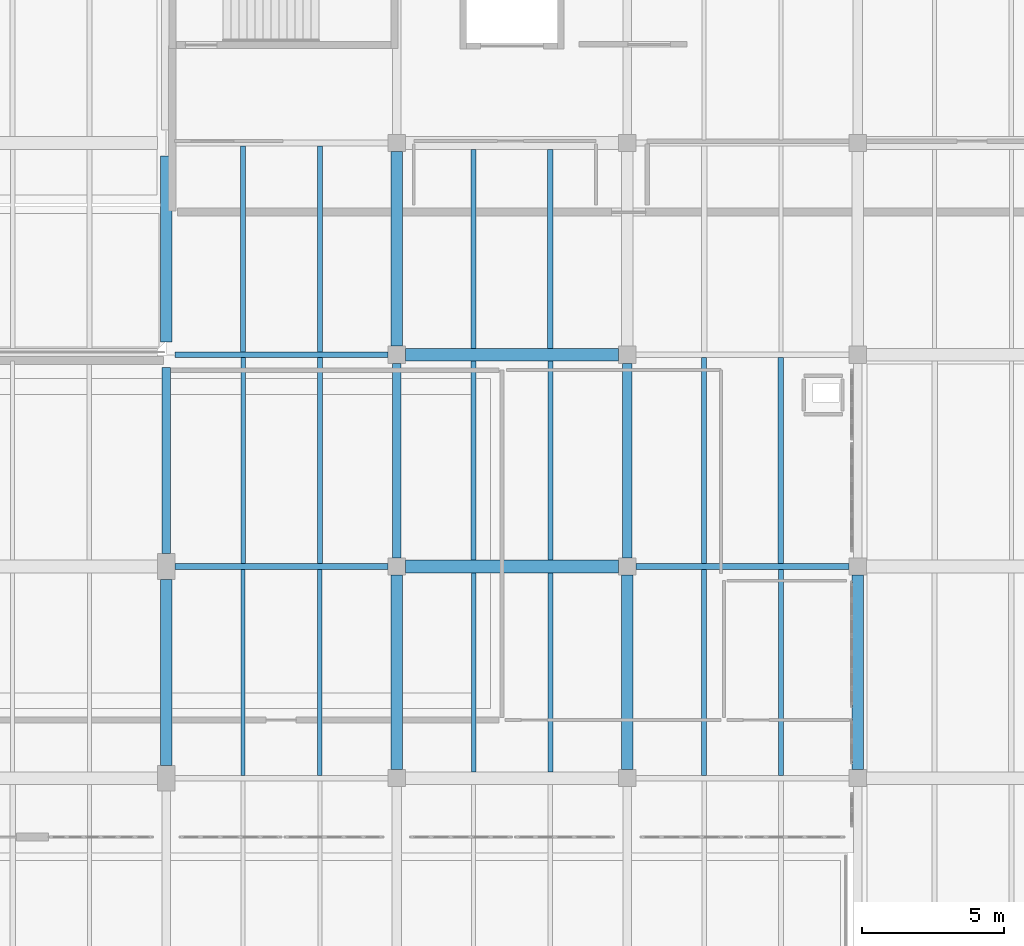
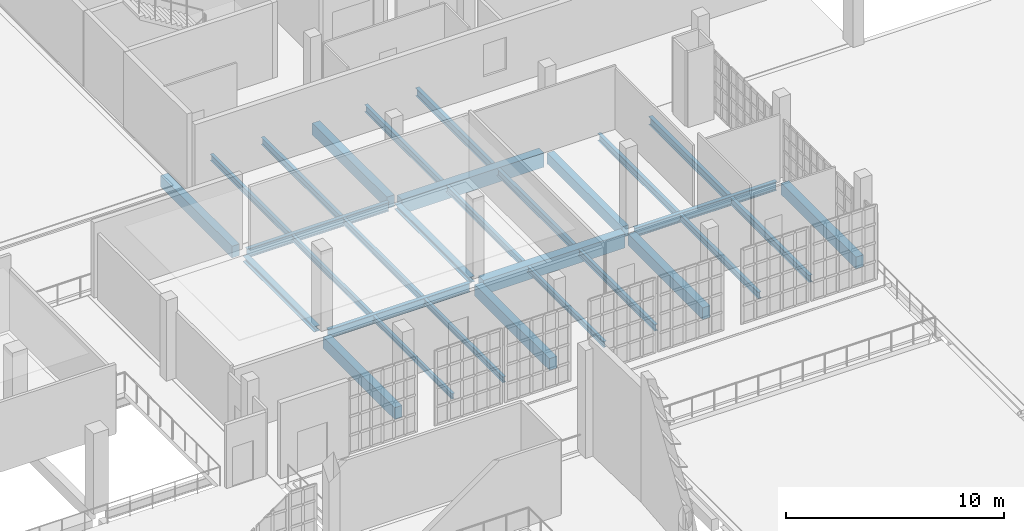
# One storey, part 27 of 73: 30 beams.
"""IFC4 building model written with IfcOpenShell, lengths in metres."""

from ifc_helpers import new_model, si_unit, direction, frame, origin, origin_2d, place, context, subcontext, project, spatial, rectangle, i_section, extrude, material, material_profile, profile_set, type_object, element, save


model = new_model("IFC4")

# Units and contexts
model_context = context("Model", 3, precision=1e-05, world=origin(), true_north=direction((0.0, 1.0)))
body_context = subcontext(model_context, "Body", "Model", "MODEL_VIEW")
ifc_project = project(units=[si_unit("LENGTHUNIT", "METRE"), si_unit("AREAUNIT", "SQUARE_METRE"), si_unit("VOLUMEUNIT", "CUBIC_METRE"), si_unit("PLANEANGLEUNIT", "RADIAN"), si_unit("MASSUNIT", "GRAM", prefix="KILO")], contexts=[model_context])

# Site, building, storey
site_placement = place(None, origin())
site = spatial("IfcSite", under=ifc_project, at=site_placement, CompositionType="ELEMENT")
building_placement = place(site_placement, origin())
building = spatial("IfcBuilding", under=site, at=building_placement, Name="Kaelora Sail Theatre", CompositionType="ELEMENT")
storey_placement = place(building_placement, frame((0.0, 0.0, 10.199951171875)))
storey = spatial("IfcBuildingStorey", under=building, at=storey_placement, Name="L02", CompositionType="ELEMENT", Elevation=10.199951171875)

# Beams
ifc_material_1 = material(Name="Steel S355", Category="steel")
ifc_material_profile_1 = material_profile(ifc_material_1, i_section(OverallWidth=0.300048828125, OverallDepth=0.31005859375, WebThickness=0.009033203125, FlangeThickness=0.015380859375, FilletRadius=0.027099609375, at=origin_2d()), Name="HEA 320")
ifc_profile_set_1 = profile_set([ifc_material_profile_1], Name="Steel S355")
beam_type_1 = type_object("IfcBeamType", Name="STR-BM-BM-HEA320", PredefinedType="BEAM", material=ifc_profile_set_1)
beam_1_placement = place(storey_placement, frame((98.699951171875, 76.35009765625, -0.449951171875), z_axis=(0.0, 1.0, 0.0), x_axis=(-1.0, 0.0, 0.0)))
element("IfcBeam", 1, at=beam_1_placement, inside=storey, type_object=beam_type_1, Name="Primary beam 13 K-L (L02)", PredefinedType="BEAM", context=body_context, shape_type="SweptSolid", body=[
    extrude(i_section(OverallWidth=0.300048828125, OverallDepth=0.31005859375, WebThickness=0.009033203125, FlangeThickness=0.015380859375, FilletRadius=0.027099609375, at=origin_2d()), origin(), (0.0, 0.0, 1.0), 6.539794921875),
])
beam_2_placement = place(storey_placement, frame((106.800048828125, 76.199951171875, -0.449951171875), z_axis=(0.0, 1.0, 0.0), x_axis=(-1.0, 0.0, 0.0)))
element("IfcBeam", 2, at=beam_2_placement, inside=storey, type_object=beam_type_1, Name="Primary beam 14 K-L (L02)", PredefinedType="BEAM", context=body_context, shape_type="SweptSolid", body=[
    extrude(i_section(OverallWidth=0.300048828125, OverallDepth=0.31005859375, WebThickness=0.009033203125, FlangeThickness=0.015380859375, FilletRadius=0.027099609375, at=origin_2d()), origin(), (0.0, 0.0, 1.0), 6.840087890625),
])
ifc_material_2 = material(Name="Steel S355", Category="steel")
ifc_material_profile_2 = material_profile(ifc_material_2, i_section(OverallWidth=0.18994140625, OverallDepth=0.449951171875, WebThickness=0.009521484375, FlangeThickness=0.0146484375, FilletRadius=0.02099609375, at=origin_2d()), Name="IPE 450")
ifc_profile_set_2 = profile_set([ifc_material_profile_2], Name="Steel S355")
beam_type_2 = type_object("IfcBeamType", Name="STR-BM-BM-IPE450", PredefinedType="BEAM", material=ifc_profile_set_2)
beam_3_placement = place(storey_placement, frame((112.199951171875, 83.56494140625, -0.52001953125), z_axis=(0.0, 1.0, 0.0), x_axis=(-1.0, 0.0, 0.0)))
element("IfcBeam", 3, at=beam_3_placement, inside=storey, type_object=beam_type_2, Name="Secondary floor joist 14/L-2 (L02)", PredefinedType="BEAM", context=body_context, shape_type="SweptSolid", body=[
    extrude(i_section(OverallWidth=0.18994140625, OverallDepth=0.449951171875, WebThickness=0.009521484375, FlangeThickness=0.0146484375, FilletRadius=0.02099609375, at=origin_2d()), origin(), (0.0, 0.0, 1.0), 6.989990234375),
])
beam_4_placement = place(storey_placement, frame((120.300048828125, 76.0, -0.52001953125), z_axis=(0.0, 1.0, 0.0), x_axis=(-1.0, 0.0, 0.0)))
element("IfcBeam", 4, at=beam_4_placement, inside=storey, type_object=beam_type_2, Name="Secondary floor joist 15/K-2 (L02)", PredefinedType="BEAM", context=body_context, shape_type="SweptSolid", body=[
    extrude(i_section(OverallWidth=0.18994140625, OverallDepth=0.449951171875, WebThickness=0.009521484375, FlangeThickness=0.0146484375, FilletRadius=0.02099609375, at=origin_2d()), origin(), (0.0, 0.0, 1.0), 7.239990234375),
])
ifc_material_3 = material(Name="Steel S355", Category="steel")
ifc_material_profile_3 = material_profile(ifc_material_3, i_section(OverallWidth=0.199951171875, OverallDepth=0.5, WebThickness=0.01025390625, FlangeThickness=0.01611328125, FilletRadius=0.02099609375, at=origin_2d()), Name="IPE 500")
ifc_profile_set_3 = profile_set([ifc_material_profile_3], Name="Steel S355")
beam_type_3 = type_object("IfcBeamType", Name="STR-BM-BM-IPE500", PredefinedType="BEAM", material=ifc_profile_set_3)
for number, where, z_axis, x_axis, name in (
    (5, (99.0, 75.89990234375, -0.544921875), (1.0, 0.0, 0.0), (0.0, 1.0, 0.0), "Primary beam K 13-14 (L02)"),
    (6, (99.0, 83.340087890625, -0.544921875), (1.0, 0.0, 0.0), (0.0, 1.0, 0.0), "Primary beam L 13-14 (L02)"),
    (7, (115.199951171875, 75.89990234375, -0.544921875), (1.0, 0.0, 0.0), (0.0, 1.0, 0.0), "Primary beam K 15-16 (L02)"),
):
    element("IfcBeam", number, at=place(storey_placement, frame(where, z_axis=z_axis, x_axis=x_axis)), inside=storey, type_object=beam_type_3, Name=name, PredefinedType="BEAM", context=body_context, shape_type="SweptSolid", body=[
        extrude(i_section(OverallWidth=0.199951171875, OverallDepth=0.5, WebThickness=0.01025390625, FlangeThickness=0.01611328125, FilletRadius=0.02099609375, at=origin_2d()), origin(), (0.0, 0.0, 1.0), 7.5),
    ])
ifc_material_4 = material(Name="Concrete C40/50", Category="concrete")
ifc_material_profile_4 = material_profile(ifc_material_4, rectangle(XDim=0.35009765625, YDim=0.60009765625, at=origin_2d()), Name="RC-BM 350x600")
ifc_profile_set_4 = profile_set([ifc_material_profile_4], Name="Concrete C40/50")
beam_type_4 = type_object("IfcBeamType", Name="STR-BM-BM-RC3560", PredefinedType="BEAM", material=ifc_profile_set_4)
beam_5_placement = place(storey_placement, frame((114.89990234375, 76.199951171875, -0.594970703125), z_axis=(0.0, 1.0, 0.0), x_axis=(-1.0, 0.0, 0.0)))
element("IfcBeam", 8, at=beam_5_placement, inside=storey, type_object=beam_type_4, Name="Primary beam 15 K-L (L02)", PredefinedType="BEAM", context=body_context, shape_type="SweptSolid", body=[
    extrude(rectangle(XDim=0.35009765625, YDim=0.60009765625, at=origin_2d()), origin(), (0.0, 0.0, 1.0), 6.840087890625),
])
ifc_material_5 = material(Name="Concrete C40/50", Category="concrete")
ifc_material_profile_5 = material_profile(ifc_material_5, rectangle(XDim=0.39990234375, YDim=0.64990234375, at=origin_2d()), Name="RC-BM 400x650")
ifc_profile_set_5 = profile_set([ifc_material_profile_5], Name="Concrete C40/50")
beam_type_5 = type_object("IfcBeamType", Name="STR-BM-BM-RC4065", PredefinedType="BEAM", material=ifc_profile_set_5)
for number, where, z_axis, x_axis, name in (
    (9, (98.699951171875, 68.909912109375, -0.619873046875), (0.0, 1.0, 0.0), (-1.0, 0.0, 0.0), "Primary beam 13 J-K (L02)"),
    (10, (98.699951171875, 83.7900390625, -0.619873046875), (0.0, 1.0, 0.0), (-1.0, 0.0, 0.0), "Primary beam 13 L-M (L02)"),
):
    element("IfcBeam", number, at=place(storey_placement, frame(where, z_axis=z_axis, x_axis=x_axis)), inside=storey, type_object=beam_type_5, Name=name, PredefinedType="BEAM", context=body_context, shape_type="SweptSolid", body=[
        extrude(rectangle(XDim=0.39990234375, YDim=0.64990234375, at=origin_2d()), origin(), (0.0, 0.0, 1.0), 6.5400390625),
    ])
for number, where, z_axis, x_axis, name in (
    (11, (106.800048828125, 68.760009765625, -0.619873046875), (0.0, 1.0, 0.0), (-1.0, 0.0, 0.0), "Primary beam 14 J-K (L02)"),
    (12, (106.800048828125, 83.639892578125, -0.619873046875), (0.0, 1.0, 0.0), (-1.0, 0.0, 0.0), "Primary beam 14 L-M (L02)"),
    (13, (114.89990234375, 68.760009765625, -0.619873046875), (0.0, 1.0, 0.0), (-1.0, 0.0, 0.0), "Primary beam 15 J-K (L02)"),
    (14, (123.0, 68.760009765625, -0.619873046875), (0.0, 1.0, 0.0), (-1.0, 0.0, 0.0), "Primary beam 16 J-K (L02)"),
):
    element("IfcBeam", number, at=place(storey_placement, frame(where, z_axis=z_axis, x_axis=x_axis)), inside=storey, type_object=beam_type_5, Name=name, PredefinedType="BEAM", context=body_context, shape_type="SweptSolid", body=[
        extrude(rectangle(XDim=0.39990234375, YDim=0.64990234375, at=origin_2d()), origin(), (0.0, 0.0, 1.0), 6.840087890625),
    ])
ifc_material_6 = material(Name="Concrete C45/55", Category="concrete")
ifc_material_profile_6 = material_profile(ifc_material_6, rectangle(XDim=0.449951171875, YDim=0.800048828125, at=origin_2d()), Name="RC-BM 450x800")
ifc_profile_set_6 = profile_set([ifc_material_profile_6], Name="Concrete C45/55")
beam_type_6 = type_object("IfcBeamType", Name="STR-BM-BM-RC4580", PredefinedType="BEAM", material=ifc_profile_set_6)
for number, where, z_axis, x_axis, name in (
    (15, (107.10009765625, 75.89990234375, -0.695068359375), (1.0, 0.0, 0.0), (0.0, 1.0, 0.0), "Primary beam K 14-15 (L02)"),
    (16, (107.10009765625, 83.340087890625, -0.695068359375), (1.0, 0.0, 0.0), (0.0, 1.0, 0.0), "Primary beam L 14-15 (L02)"),
):
    element("IfcBeam", number, at=place(storey_placement, frame(where, z_axis=z_axis, x_axis=x_axis)), inside=storey, type_object=beam_type_6, Name=name, PredefinedType="BEAM", context=body_context, shape_type="SweptSolid", body=[
        extrude(rectangle(XDim=0.449951171875, YDim=0.800048828125, at=origin_2d()), origin(), (0.0, 0.0, 1.0), 7.5),
    ])
ifc_material_7 = material(Name="Steel S355", Category="steel")
ifc_material_profile_7 = material_profile(ifc_material_7, i_section(OverallWidth=0.14990234375, OverallDepth=0.300048828125, WebThickness=0.007080078125, FlangeThickness=0.0107421875, FilletRadius=0.014892578125, at=origin_2d()), Name="IPE 300")
ifc_profile_set_7 = profile_set([ifc_material_profile_7], Name="Steel S355")
beam_type_7 = type_object("IfcBeamType", Name="STR-BM-JS-IPE300", PredefinedType="JOIST", material=ifc_profile_set_7)
beam_6_placement = place(storey_placement, frame((101.39990234375, 68.56005859375, -0.445068359375), z_axis=(0.0, 1.0, 0.0), x_axis=(-1.0, 0.0, 0.0)))
element("IfcBeam", 17, at=beam_6_placement, inside=storey, type_object=beam_type_7, Name="Secondary floor joist 13/J-1 (L02)", PredefinedType="JOIST", context=body_context, shape_type="SweptSolid", body=[
    extrude(i_section(OverallWidth=0.14990234375, OverallDepth=0.300048828125, WebThickness=0.007080078125, FlangeThickness=0.0107421875, FilletRadius=0.014892578125, at=origin_2d()), origin(), (0.0, 0.0, 1.0), 7.239990234375),
])
ifc_material_8 = material(Name="Steel S355", Category="steel")
ifc_material_profile_8 = material_profile(ifc_material_8, i_section(OverallWidth=0.159912109375, OverallDepth=0.330078125, WebThickness=0.007568359375, FlangeThickness=0.011474609375, FilletRadius=0.01806640625, at=origin_2d()), Name="IPE 330")
ifc_profile_set_8 = profile_set([ifc_material_profile_8], Name="Steel S355")
beam_type_8 = type_object("IfcBeamType", Name="STR-BM-JS-IPE330", PredefinedType="JOIST", material=ifc_profile_set_8)
for number, where, z_axis, x_axis, name in (
    (18, (104.10009765625, 68.56005859375, -0.4599609375), (0.0, 1.0, 0.0), (-1.0, 0.0, 0.0), "Secondary floor joist 13/J-2 (L02)"),
    (19, (101.39990234375, 76.0, -0.4599609375), (0.0, 1.0, 0.0), (-1.0, 0.0, 0.0), "Secondary floor joist 13/K-1 (L02)"),
):
    element("IfcBeam", number, at=place(storey_placement, frame(where, z_axis=z_axis, x_axis=x_axis)), inside=storey, type_object=beam_type_8, Name=name, PredefinedType="JOIST", context=body_context, shape_type="SweptSolid", body=[
        extrude(i_section(OverallWidth=0.159912109375, OverallDepth=0.330078125, WebThickness=0.007568359375, FlangeThickness=0.011474609375, FilletRadius=0.01806640625, at=origin_2d()), origin(), (0.0, 0.0, 1.0), 7.239990234375),
    ])
beam_7_placement = place(storey_placement, frame((109.5, 68.68505859375, -0.4599609375), z_axis=(0.0, 1.0, 0.0), x_axis=(-1.0, 0.0, 0.0)))
element("IfcBeam", 20, at=beam_7_placement, inside=storey, type_object=beam_type_8, Name="Secondary floor joist 14/J-1 (L02)", PredefinedType="JOIST", context=body_context, shape_type="SweptSolid", body=[
    extrude(i_section(OverallWidth=0.159912109375, OverallDepth=0.330078125, WebThickness=0.007568359375, FlangeThickness=0.011474609375, FilletRadius=0.01806640625, at=origin_2d()), origin(), (0.0, 0.0, 1.0), 6.989990234375),
])
ifc_material_9 = material(Name="Steel S355", Category="steel")
ifc_material_profile_9 = material_profile(ifc_material_9, i_section(OverallWidth=0.169921875, OverallDepth=0.360107421875, WebThickness=0.008056640625, FlangeThickness=0.0126953125, FilletRadius=0.01806640625, at=origin_2d()), Name="IPE 360")
ifc_profile_set_9 = profile_set([ifc_material_profile_9], Name="Steel S355")
beam_type_9 = type_object("IfcBeamType", Name="STR-BM-JS-IPE360", PredefinedType="JOIST", material=ifc_profile_set_9)
for number, where, z_axis, x_axis, name in (
    (21, (104.10009765625, 76.0, -0.474853515625), (0.0, 1.0, 0.0), (-1.0, 0.0, 0.0), "Secondary floor joist 13/K-2 (L02)"),
    (22, (101.39990234375, 83.43994140625, -0.474853515625), (0.0, 1.0, 0.0), (-1.0, 0.0, 0.0), "Secondary floor joist 13/L-1 (L02)"),
):
    element("IfcBeam", number, at=place(storey_placement, frame(where, z_axis=z_axis, x_axis=x_axis)), inside=storey, type_object=beam_type_9, Name=name, PredefinedType="JOIST", context=body_context, shape_type="SweptSolid", body=[
        extrude(i_section(OverallWidth=0.169921875, OverallDepth=0.360107421875, WebThickness=0.008056640625, FlangeThickness=0.0126953125, FilletRadius=0.01806640625, at=origin_2d()), origin(), (0.0, 0.0, 1.0), 7.239990234375),
    ])
for number, where, z_axis, x_axis, name in (
    (23, (112.199951171875, 68.68505859375, -0.474853515625), (0.0, 1.0, 0.0), (-1.0, 0.0, 0.0), "Secondary floor joist 14/J-2 (L02)"),
    (24, (109.5, 76.125, -0.474853515625), (0.0, 1.0, 0.0), (-1.0, 0.0, 0.0), "Secondary floor joist 14/K-1 (L02)"),
):
    element("IfcBeam", number, at=place(storey_placement, frame(where, z_axis=z_axis, x_axis=x_axis)), inside=storey, type_object=beam_type_9, Name=name, PredefinedType="JOIST", context=body_context, shape_type="SweptSolid", body=[
        extrude(i_section(OverallWidth=0.169921875, OverallDepth=0.360107421875, WebThickness=0.008056640625, FlangeThickness=0.0126953125, FilletRadius=0.01806640625, at=origin_2d()), origin(), (0.0, 0.0, 1.0), 6.989990234375),
    ])
beam_8_placement = place(storey_placement, frame((117.60009765625, 68.56005859375, -0.474853515625), z_axis=(0.0, 1.0, 0.0), x_axis=(-1.0, 0.0, 0.0)))
element("IfcBeam", 25, at=beam_8_placement, inside=storey, type_object=beam_type_9, Name="Secondary floor joist 15/J-1 (L02)", PredefinedType="JOIST", context=body_context, shape_type="SweptSolid", body=[
    extrude(i_section(OverallWidth=0.169921875, OverallDepth=0.360107421875, WebThickness=0.008056640625, FlangeThickness=0.0126953125, FilletRadius=0.01806640625, at=origin_2d()), origin(), (0.0, 0.0, 1.0), 7.239990234375),
])
ifc_material_10 = material(Name="Steel S355", Category="steel")
ifc_material_profile_10 = material_profile(ifc_material_10, i_section(OverallWidth=0.179931640625, OverallDepth=0.39990234375, WebThickness=0.008544921875, FlangeThickness=0.013427734375, FilletRadius=0.02099609375, at=origin_2d()), Name="IPE 400")
ifc_profile_set_10 = profile_set([ifc_material_profile_10], Name="Steel S355")
beam_type_10 = type_object("IfcBeamType", Name="STR-BM-JS-IPE400", PredefinedType="JOIST", material=ifc_profile_set_10)
beam_9_placement = place(storey_placement, frame((104.10009765625, 83.43994140625, -0.494873046875), z_axis=(0.0, 1.0, 0.0), x_axis=(-1.0, 0.0, 0.0)))
element("IfcBeam", 26, at=beam_9_placement, inside=storey, type_object=beam_type_10, Name="Secondary floor joist 13/L-2 (L02)", PredefinedType="JOIST", context=body_context, shape_type="SweptSolid", body=[
    extrude(i_section(OverallWidth=0.179931640625, OverallDepth=0.39990234375, WebThickness=0.008544921875, FlangeThickness=0.013427734375, FilletRadius=0.02099609375, at=origin_2d()), origin(), (0.0, 0.0, 1.0), 7.239990234375),
])
for number, where, z_axis, x_axis, name in (
    (27, (112.199951171875, 76.125, -0.494873046875), (0.0, 1.0, 0.0), (-1.0, 0.0, 0.0), "Secondary floor joist 14/K-2 (L02)"),
    (28, (109.5, 83.56494140625, -0.494873046875), (0.0, 1.0, 0.0), (-1.0, 0.0, 0.0), "Secondary floor joist 14/L-1 (L02)"),
):
    element("IfcBeam", number, at=place(storey_placement, frame(where, z_axis=z_axis, x_axis=x_axis)), inside=storey, type_object=beam_type_10, Name=name, PredefinedType="JOIST", context=body_context, shape_type="SweptSolid", body=[
        extrude(i_section(OverallWidth=0.179931640625, OverallDepth=0.39990234375, WebThickness=0.008544921875, FlangeThickness=0.013427734375, FilletRadius=0.02099609375, at=origin_2d()), origin(), (0.0, 0.0, 1.0), 6.989990234375),
    ])
for number, where, z_axis, x_axis, name in (
    (29, (120.300048828125, 68.56005859375, -0.494873046875), (0.0, 1.0, 0.0), (-1.0, 0.0, 0.0), "Secondary floor joist 15/J-2 (L02)"),
    (30, (117.60009765625, 76.0, -0.494873046875), (0.0, 1.0, 0.0), (-1.0, 0.0, 0.0), "Secondary floor joist 15/K-1 (L02)"),
):
    element("IfcBeam", number, at=place(storey_placement, frame(where, z_axis=z_axis, x_axis=x_axis)), inside=storey, type_object=beam_type_10, Name=name, PredefinedType="JOIST", context=body_context, shape_type="SweptSolid", body=[
        extrude(i_section(OverallWidth=0.179931640625, OverallDepth=0.39990234375, WebThickness=0.008544921875, FlangeThickness=0.013427734375, FilletRadius=0.02099609375, at=origin_2d()), origin(), (0.0, 0.0, 1.0), 7.239990234375),
    ])

save(model, "model.ifc")
